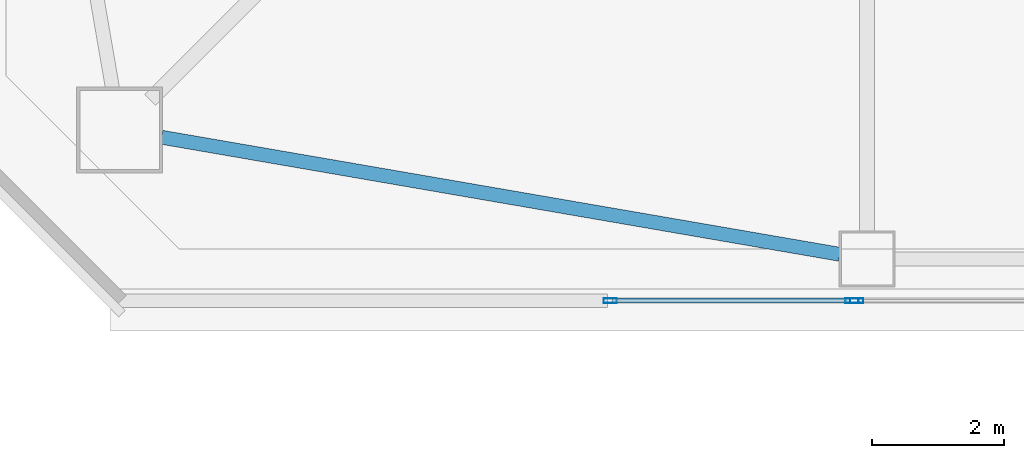
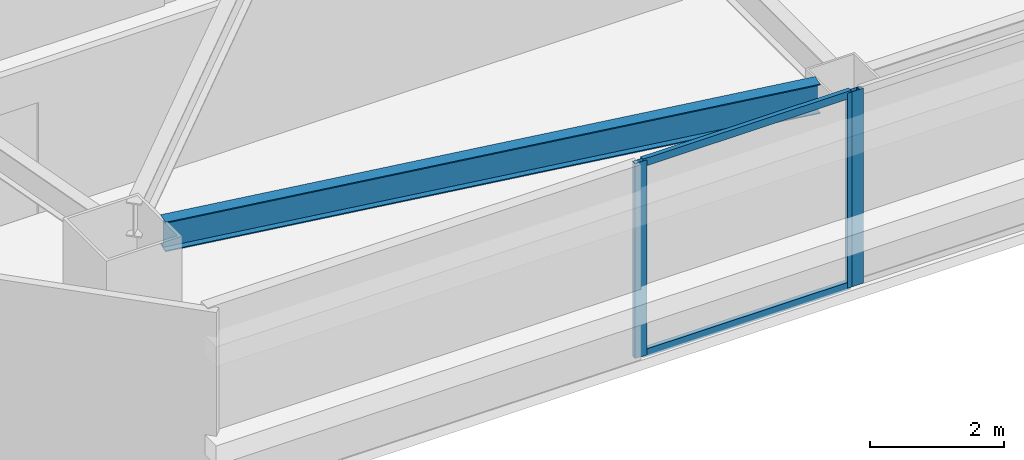
# One storey, part 3 of 40: 5 members, 1 beam, 2 elements without a shape of their own.
"""IFC4 building model written with IfcOpenShell, lengths in metres."""

from ifc_helpers import new_model, si_unit, direction, frame, origin, origin_2d, place, context, subcontext, project, spatial, hollow_rectangle, i_section, extrude, material, material_profile, profile_set, type_object, element, aggregate, save


model = new_model("IFC4")

# Units and contexts
model_context = context("Model", 3, precision=1e-05, world=origin(), true_north=direction((0.0, 1.0)))
body_context = subcontext(model_context, "Body", "Model", "MODEL_VIEW")
ifc_project = project(units=[si_unit("LENGTHUNIT", "METRE"), si_unit("AREAUNIT", "SQUARE_METRE"), si_unit("VOLUMEUNIT", "CUBIC_METRE"), si_unit("PLANEANGLEUNIT", "RADIAN"), si_unit("MASSUNIT", "GRAM", prefix="KILO")], contexts=[model_context])

# Site, building, storey
site_placement = place(None, origin())
site = spatial("IfcSite", under=ifc_project, at=site_placement, CompositionType="ELEMENT")
building_placement = place(site_placement, origin())
building = spatial("IfcBuilding", under=site, at=building_placement, Name="Tashvorn Skyway Center", CompositionType="ELEMENT")
storey_placement = place(building_placement, frame((0.0, 0.0, 142.800048828125)))
storey = spatial("IfcBuildingStorey", under=building, at=storey_placement, Name="L38", CompositionType="ELEMENT", Elevation=142.800048828125)

# Beam
ifc_material_1 = material(Name="Steel ASTM A992 Grade 50", Category="steel")
ifc_material_profile_1 = material_profile(ifc_material_1, i_section(OverallWidth=0.2109375, OverallDepth=0.5390625, WebThickness=0.01171875, FlangeThickness=0.018798828125, at=origin_2d()), Name="W21X73")
ifc_profile_set_1 = profile_set([ifc_material_profile_1], Name="Steel ASTM A992 Grade 50")
beam_type = type_object("IfcBeamType", Name="BM-SPANDREL-W21X73", PredefinedType="SPANDREL", material=ifc_profile_set_1)
beam_placement = place(storey_placement, frame((25.935546875, 15.1904296875, 3.100341796875), z_axis=(0.985432458462, -0.170067250846, 0.0), x_axis=(0.170067250846, 0.985432458462, 0.0)))
element("IfcBeam", 1, at=beam_placement, inside=storey, type_object=beam_type, Name="Tower 1 L38 Spandrel Beam 01", PredefinedType="SPANDREL", context=body_context, shape_type="SweptSolid", body=[
    extrude(i_section(OverallWidth=0.2109375, OverallDepth=0.5390625, WebThickness=0.01171875, FlangeThickness=0.018798828125, at=origin_2d()), origin(), (0.0, 0.0, 1.0), 10.402099609375),
])

# Curtain wall, member
ifc_material_2 = material(Name="Thermally broken bronze-anodized aluminium 6063-T6", Category="aluminium")
curtain_wall_type = type_object("IfcCurtainWallType", Name="CW-CW-Z3", PredefinedType="NOTDEFINED", material=ifc_material_2)
curtain_wall_1_placement = place(storey_placement, origin())
curtain_wall_1 = element("IfcCurtainWall", 2, at=curtain_wall_1_placement, inside=storey, type_object=curtain_wall_type, Name="Tower 1 L38 South Unitised Curtain Wall Glazing Group 2", PredefinedType="NOTDEFINED")
ifc_material_profile_2 = material_profile(ifc_material_2, hollow_rectangle(XDim=0.074951171875, YDim=0.199951171875, WallThickness=0.00439453125, at=origin_2d()), Name="ALU-MULL-75x200")
ifc_profile_set_2 = profile_set([ifc_material_profile_2], Name="Thermally broken bronze-anodized aluminium 6063-T6")
member_type_1 = type_object("IfcMemberType", Name="CWM-CW-Z3", PredefinedType="MULLION", material=ifc_profile_set_2)
member_1_placement = place(storey_placement, frame((36.444091796875, 12.719970703125, 0.0), z_axis=(0.0, 0.0, 1.0), x_axis=(0.0, -1.0, 0.0)))
member_1 = element("IfcMember", 3, at=member_1_placement, type_object=member_type_1, Name="CW-Z3 mullion 2", PredefinedType="MULLION", context=body_context, shape_type="SweptSolid", body=[
    extrude(hollow_rectangle(XDim=0.074951171875, YDim=0.199951171875, WallThickness=0.00439453125, at=origin_2d()), origin(), (0.0, 0.0, 1.0), 3.550048828125),
])
aggregate(curtain_wall_1, [member_1])

# Curtain wall, members
curtain_wall_2_placement = place(storey_placement, origin())
curtain_wall_2 = element("IfcCurtainWall", 4, at=curtain_wall_2_placement, inside=storey, type_object=curtain_wall_type, Name="Tower 1 L38 South Unitised Curtain Wall Glazing Group 3", PredefinedType="NOTDEFINED")
member_2_placement = place(storey_placement, frame((36.369140625, 12.719970703125, 0.0), z_axis=(0.0, 0.0, 1.0), x_axis=(0.0, -1.0, 0.0)))
member_2 = element("IfcMember", 5, at=member_2_placement, type_object=member_type_1, Name="CW-Z3 mullion 1", PredefinedType="MULLION", context=body_context, shape_type="SweptSolid", body=[
    extrude(hollow_rectangle(XDim=0.074951171875, YDim=0.199951171875, WallThickness=0.00439453125, at=origin_2d()), origin(), (0.0, 0.0, 1.0), 3.550048828125),
])
member_3_placement = place(storey_placement, frame((32.71533203125, 12.719970703125, 0.0), z_axis=(0.0, 0.0, 1.0), x_axis=(0.0, -1.0, 0.0)))
member_3 = element("IfcMember", 6, at=member_3_placement, type_object=member_type_1, Name="CW-Z3 mullion 2", PredefinedType="MULLION", context=body_context, shape_type="SweptSolid", body=[
    extrude(hollow_rectangle(XDim=0.074951171875, YDim=0.199951171875, WallThickness=0.00439453125, at=origin_2d()), origin(), (0.0, 0.0, 1.0), 3.550048828125),
])
ifc_material_profile_3 = material_profile(ifc_material_2, hollow_rectangle(XDim=0.074951171875, YDim=0.139892578125, WallThickness=0.004150390625, at=origin_2d()), Name="ALU-TRAN-75x140")
ifc_profile_set_3 = profile_set([ifc_material_profile_3], Name="Thermally broken bronze-anodized aluminium 6063-T6")
member_type_2 = type_object("IfcMemberType", Name="CWT-CW-Z3", PredefinedType="USERDEFINED", material=ifc_profile_set_3)
member_4_placement = place(storey_placement, frame((36.331787109375, 12.719970703125, 0.037353515625), z_axis=(-1.0, 0.0, 0.0), x_axis=(0.0, -1.0, 0.0)))
member_4 = element("IfcMember", 7, at=member_4_placement, type_object=member_type_2, Name="CW-Z3 transom 1.1", ObjectType="TRANSOM", PredefinedType="USERDEFINED", context=body_context, shape_type="SweptSolid", body=[
    extrude(hollow_rectangle(XDim=0.074951171875, YDim=0.139892578125, WallThickness=0.004150390625, at=origin_2d()), origin(), (0.0, 0.0, 1.0), 3.5791015625),
])
member_5_placement = place(storey_placement, frame((36.331787109375, 12.719970703125, 3.512451171875), z_axis=(-1.0, 0.0, 0.0), x_axis=(0.0, -1.0, 0.0)))
member_5 = element("IfcMember", 8, at=member_5_placement, type_object=member_type_2, Name="CW-Z3 transom 1.2", ObjectType="TRANSOM", PredefinedType="USERDEFINED", context=body_context, shape_type="SweptSolid", body=[
    extrude(hollow_rectangle(XDim=0.074951171875, YDim=0.139892578125, WallThickness=0.004150390625, at=origin_2d()), origin(), (0.0, 0.0, 1.0), 3.5791015625),
])
aggregate(curtain_wall_2, [member_2, member_3, member_4, member_5])

save(model, "model.ifc")
